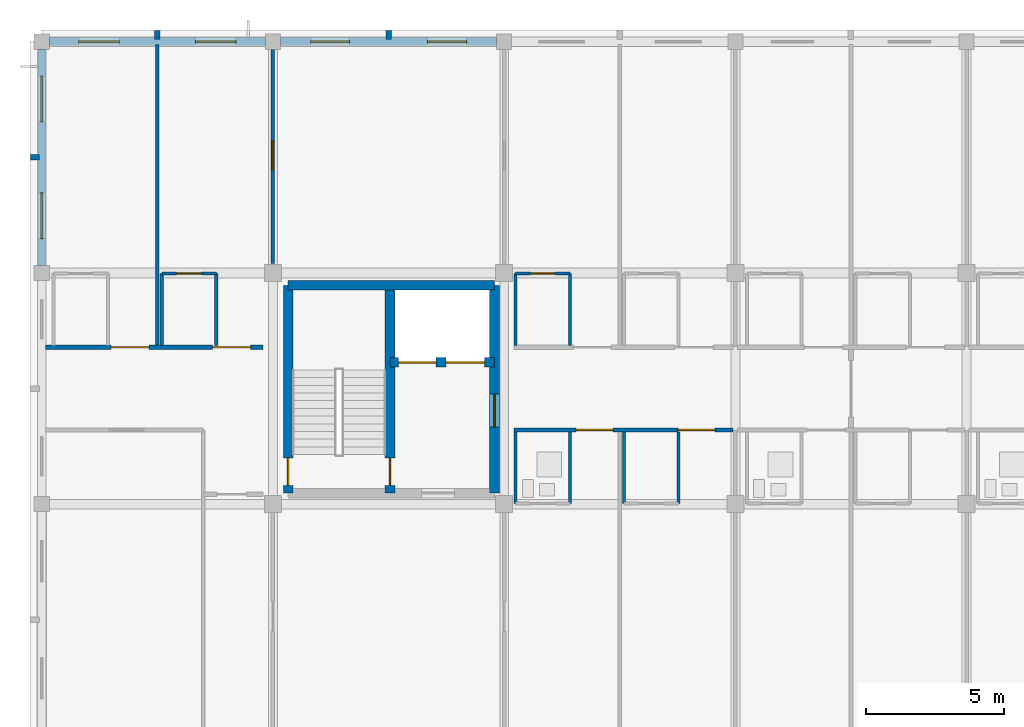
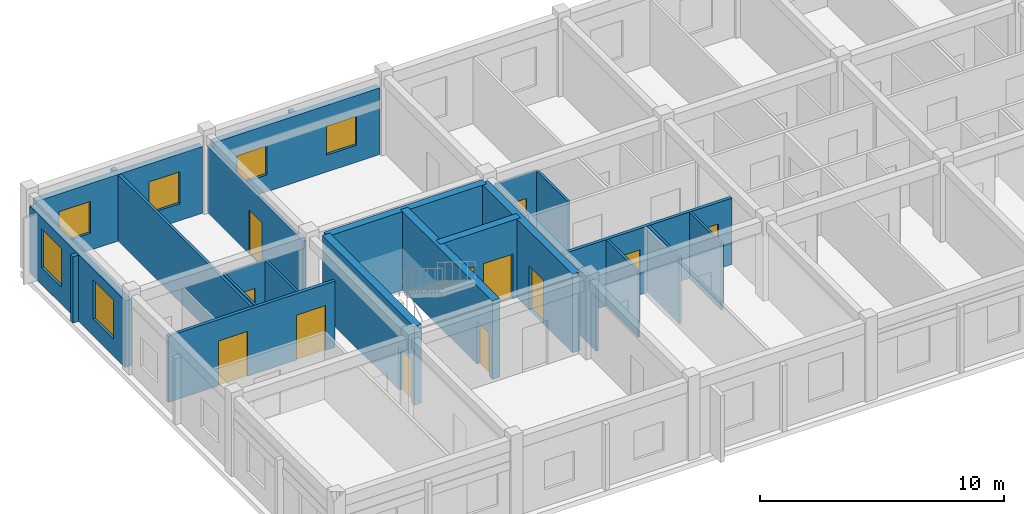
# One storey, part 8 of 21: 25 walls, 12 doors, 6 windows, 18 openings.
"""IFC4 building model written with IfcOpenShell, lengths in metres."""

from ifc_helpers import new_model, si_unit, direction, frame, frame_2d, origin, place, context, subcontext, project, spatial, rectangle, extrude, material, layer, layer_set, type_object, element, fill, save


model = new_model("IFC4")

# Units and contexts
model_context = context("Model", 3, precision=1e-05, world=origin(), true_north=direction((0.0, 1.0)))
body_context = subcontext(model_context, "Body", "Model", "MODEL_VIEW")
ifc_project = project(units=[si_unit("LENGTHUNIT", "METRE"), si_unit("AREAUNIT", "SQUARE_METRE"), si_unit("VOLUMEUNIT", "CUBIC_METRE"), si_unit("PLANEANGLEUNIT", "RADIAN"), si_unit("MASSUNIT", "GRAM", prefix="KILO")], contexts=[model_context])

# Site, building, storey
site_placement = place(None, origin())
site = spatial("IfcSite", under=ifc_project, at=site_placement, CompositionType="ELEMENT")
building_placement = place(site_placement, origin())
building = spatial("IfcBuilding", under=site, at=building_placement, Name="Trelvath General Hospital", CompositionType="ELEMENT")
storey_placement = place(building_placement, frame((0.0, 0.0, 28.800048828125)))
storey = spatial("IfcBuildingStorey", under=building, at=storey_placement, Name="L07", CompositionType="ELEMENT", Elevation=28.800048828125)

# Walls
ifc_material_1 = material(Name="Precast concrete C40/50", Category="concrete")
ifc_layer_1 = layer(ifc_material_1, 0.199951171875)
ifc_layer_set_1 = layer_set([ifc_layer_1], Name="Precast concrete C40/50")
wall_type_1 = type_object("IfcWallType", Name="BriseSoleilRib 200", PredefinedType="ELEMENTEDWALL", material=ifc_layer_set_1)
for number, where, z_axis, x_axis, name in (
    (1, (37.800048828125, 117.675048828125, 0.0), (0.0, 0.0, 1.0), (0.0, 1.0, 0.0), "Precast Concrete Brise-Soleil Rib Fin L07-462"),
    (2, (33.52490234375, 113.39990234375, 0.0), (0.0, 0.0, 1.0), (-1.0, 0.0, 0.0), "Precast Concrete Brise-Soleil Rib Fin L07-463"),
    (3, (46.199951171875, 117.675048828125, 0.0), (0.0, 0.0, 1.0), (0.0, 1.0, 0.0), "Precast Concrete Brise-Soleil Rib Fin L07-465"),
):
    element("IfcWall", number, at=place(storey_placement, frame(where, z_axis=z_axis, x_axis=x_axis)), inside=storey, type_object=wall_type_1, Name=name, PredefinedType="ELEMENTEDWALL", context=body_context, shape_type="SweptSolid", body=[
        extrude(rectangle(XDim=0.33984375, YDim=0.199951171875, at=frame_2d((0.169921875, 0.0))), origin(), (0.0, 0.0, 1.0), 3.320068359375),
    ])

# Wall, openings, doors
ifc_material_2 = material(Name="Gypsum acoustic steel-stud partition", Category="steel")
ifc_layer_2 = layer(ifc_material_2, 0.14990234375)
ifc_layer_set_2 = layer_set([ifc_layer_2], Name="Gypsum acoustic steel-stud partition")
wall_type_2 = type_object("IfcWallType", Name="ClinicalPartition 150", PredefinedType="PARTITIONING", material=ifc_layer_set_2)
wall_1_placement = place(storey_placement, frame((41.639892578125, 106.5, 0.0), z_axis=(0.0, 0.0, 1.0), x_axis=(-1.0, 0.0, 0.0)))
wall_1 = element("IfcWall", 4, at=wall_1_placement, inside=storey, type_object=wall_type_2, Name="Corridor Partition N L07-2326", PredefinedType="PARTITIONING", context=body_context, shape_type="SweptSolid", body=[
    extrude(rectangle(XDim=7.89990234375, YDim=0.14990234375, at=frame_2d((3.949951171875, 0.0))), origin(), (0.0, 0.0, 1.0), 3.320068359375),
])
opening_1_placement = place(wall_1_placement, frame((0.449951171875, 0.0, 0.0)))
opening_1 = element("IfcOpeningElement", 5, at=opening_1_placement, cuts=wall_1, Name="Opening D-7-1457", PredefinedType="OPENING", context=body_context, shape_type="SweptSolid", body=[
    extrude(rectangle(XDim=1.3798828125, YDim=2.25, at=frame_2d((0.68994140625, 1.125))), frame((0.0, 0.0849609375, 0.0), z_axis=(0.0, -1.0, 0.0), x_axis=(1.0, 0.0, 0.0)), (0.0, 0.0, 1.0), 0.169921875),
])
opening_2_placement = place(wall_1_placement, frame((4.14990234375, 0.0, 0.0)))
opening_2 = element("IfcOpeningElement", 6, at=opening_2_placement, cuts=wall_1, Name="Opening D-7-1458", PredefinedType="OPENING", context=body_context, shape_type="SweptSolid", body=[
    extrude(rectangle(XDim=1.3798828125, YDim=2.25, at=frame_2d((0.68994140625, 1.125))), frame((0.0, 0.0849609375, 0.0), z_axis=(0.0, -1.0, 0.0), x_axis=(1.0, 0.0, 0.0)), (0.0, 0.0, 1.0), 0.169921875),
])
ifc_material_3 = material(Name="Wheelchair rehab ward door")
door_type_1 = type_object("IfcDoorType", Name="Door PatientRehab 1380x2250", OperationType="NOTDEFINED", PredefinedType="DOOR", material=ifc_material_3)
door_1_placement = place(opening_1_placement, origin())
door_1 = element("IfcDoor", 7, at=door_1_placement, inside=storey, type_object=door_type_1, Name="Patient Room Door N L07-1457", OperationType="SINGLE_SWING_LEFT", OverallHeight=2.25, OverallWidth=1.3798828125, PredefinedType="DOOR", context=body_context, shape_type="SweptSolid", body=[
    extrude(rectangle(XDim=1.3798828125, YDim=2.25, at=frame_2d((0.68994140625, 1.125))), frame((0.0, 0.02490234375, 0.0), z_axis=(0.0, -1.0, 0.0), x_axis=(1.0, 0.0, 0.0)), (0.0, 0.0, 1.0), 0.050048828125),
])
fill(opening_1, door_1)
door_2_placement = place(opening_2_placement, origin())
door_2 = element("IfcDoor", 8, at=door_2_placement, inside=storey, type_object=door_type_1, Name="Patient Room Door N L07-1458", OperationType="SINGLE_SWING_LEFT", OverallHeight=2.25, OverallWidth=1.3798828125, PredefinedType="DOOR", context=body_context, shape_type="SweptSolid", body=[
    extrude(rectangle(XDim=1.3798828125, YDim=2.25, at=frame_2d((0.68994140625, 1.125))), frame((0.0, 0.02490234375, 0.0), z_axis=(0.0, -1.0, 0.0), x_axis=(1.0, 0.0, 0.0)), (0.0, 0.0, 1.0), 0.050048828125),
])
fill(opening_2, door_2)

wall_2_placement = place(storey_placement, frame((50.760009765625, 103.5, 0.0), z_axis=(0.0, 0.0, 1.0), x_axis=(1.0, 0.0, 0.0)))
wall_2 = element("IfcWall", 9, at=wall_2_placement, inside=storey, type_object=wall_type_2, Name="Corridor Partition L07-2338", PredefinedType="PARTITIONING", context=body_context, shape_type="SweptSolid", body=[
    extrude(rectangle(XDim=7.9599609375, YDim=0.14990234375, at=frame_2d((3.97998046875, 0.0))), origin(), (0.0, 0.0, 1.0), 3.320068359375),
])
opening_3_placement = place(wall_2_placement, frame((2.25, 0.0, 0.0)))
opening_3 = element("IfcOpeningElement", 10, at=opening_3_placement, cuts=wall_2, Name="Opening D-7-1465", PredefinedType="OPENING", context=body_context, shape_type="SweptSolid", body=[
    extrude(rectangle(XDim=1.35009765625, YDim=2.25, at=frame_2d((0.675048828125, 1.125))), frame((0.0, 0.0849609375, 0.0), z_axis=(0.0, -1.0, 0.0), x_axis=(1.0, 0.0, 0.0)), (0.0, 0.0, 1.0), 0.169921875),
])
opening_4_placement = place(wall_2_placement, frame((5.949951171875, 0.0, 0.0)))
opening_4 = element("IfcOpeningElement", 11, at=opening_4_placement, cuts=wall_2, Name="Opening D-7-1466", PredefinedType="OPENING", context=body_context, shape_type="SweptSolid", body=[
    extrude(rectangle(XDim=1.35009765625, YDim=2.25, at=frame_2d((0.675048828125, 1.125))), frame((0.0, 0.0849609375, 0.0), z_axis=(0.0, -1.0, 0.0), x_axis=(1.0, 0.0, 0.0)), (0.0, 0.0, 1.0), 0.169921875),
])
ifc_material_4 = material(Name="Airtight isolation bed door")
door_type_2 = type_object("IfcDoorType", Name="Door PatientIso 1350x2250", OperationType="NOTDEFINED", PredefinedType="DOOR", material=ifc_material_4)
door_3_placement = place(opening_3_placement, origin())
door_3 = element("IfcDoor", 12, at=door_3_placement, inside=storey, type_object=door_type_2, Name="Patient Room Door L07-1465", OperationType="SINGLE_SWING_RIGHT", OverallHeight=2.25, OverallWidth=1.35009765625, PredefinedType="DOOR", context=body_context, shape_type="SweptSolid", body=[
    extrude(rectangle(XDim=1.35009765625, YDim=2.25, at=frame_2d((0.675048828125, 1.125))), frame((0.0, 0.02490234375, 0.0), z_axis=(0.0, -1.0, 0.0), x_axis=(1.0, 0.0, 0.0)), (0.0, 0.0, 1.0), 0.050048828125),
])
fill(opening_3, door_3)
door_4_placement = place(opening_4_placement, origin())
door_4 = element("IfcDoor", 13, at=door_4_placement, inside=storey, type_object=door_type_2, Name="Patient Room Door L07-1466", OperationType="SINGLE_SWING_LEFT", OverallHeight=2.25, OverallWidth=1.35009765625, PredefinedType="DOOR", context=body_context, shape_type="SweptSolid", body=[
    extrude(rectangle(XDim=1.35009765625, YDim=2.25, at=frame_2d((0.675048828125, 1.125))), frame((0.0, 0.02490234375, 0.0), z_axis=(0.0, -1.0, 0.0), x_axis=(1.0, 0.0, 0.0)), (0.0, 0.0, 1.0), 0.050048828125),
])
fill(opening_4, door_4)

# Wall
ifc_material_5 = material(Name="Concrete C40/50", Category="concrete")
ifc_layer_3 = layer(ifc_material_5, 0.35009765625)
ifc_layer_set_3 = layer_set([ifc_layer_3], Name="Concrete C40/50")
wall_type_3 = type_object("IfcWallType", Name="CoreShearWall 350", PredefinedType="SHEAR", material=ifc_layer_set_3)
wall_3_placement = place(storey_placement, frame((42.550048828125, 108.75, 0.0), z_axis=(0.0, 0.0, 1.0), x_axis=(1.0, 0.0, 0.0)))
element("IfcWall", 14, at=wall_3_placement, inside=storey, type_object=wall_type_3, Name="Core Shear Wall C1 N L07", PredefinedType="SHEAR", context=body_context, shape_type="SweptSolid", body=[
    extrude(rectangle(XDim=7.5, YDim=0.35009765625, at=frame_2d((3.75, 0.0))), origin(), (0.0, 0.0, 1.0), 3.93994140625),
])

# Wall, opening, door
wall_4_placement = place(storey_placement, frame((42.550048828125, 101.199951171875, 0.0), z_axis=(0.0, 0.0, 1.0), x_axis=(0.0, 1.0, 0.0)))
wall_4 = element("IfcWall", 15, at=wall_4_placement, inside=storey, type_object=wall_type_3, Name="Core Shear Wall C1 W L07", PredefinedType="SHEAR", context=body_context, shape_type="SweptSolid", body=[
    extrude(rectangle(XDim=7.550048828125, YDim=0.35009765625, at=frame_2d((3.77490234375, 0.0))), origin(), (0.0, 0.0, 1.0), 3.93994140625),
])
opening_5_placement = place(wall_4_placement, frame((0.280029296875, 0.0, 0.0)))
opening_5 = element("IfcOpeningElement", 16, at=opening_5_placement, cuts=wall_4, Name="Opening FD-SW17", PredefinedType="OPENING", context=body_context, shape_type="SweptSolid", body=[
    extrude(rectangle(XDim=1.0, YDim=2.14990234375, at=frame_2d((0.5, 1.074951171875))), frame((0.0, 0.18505859375, 0.0), z_axis=(0.0, -1.0, 0.0), x_axis=(1.0, 0.0, 0.0)), (0.0, 0.0, 1.0), 0.3701171875),
])
ifc_material_6 = material(Name="Fire-rated steel door", Category="steel")
door_type_3 = type_object("IfcDoorType", Name="Door FireStair 1100x2150", OperationType="NOTDEFINED", PredefinedType="DOOR", material=ifc_material_6)
door_5_placement = place(opening_5_placement, origin())
door_5 = element("IfcDoor", 17, at=door_5_placement, inside=storey, type_object=door_type_3, Name="West Corridor Stair Door ST1 L07", OperationType="SINGLE_SWING_LEFT", OverallHeight=2.14990234375, OverallWidth=1.0, PredefinedType="DOOR", context=body_context, shape_type="SweptSolid", body=[
    extrude(rectangle(XDim=1.0, YDim=2.14990234375, at=frame_2d((0.5, 1.074951171875))), frame((0.0, 0.02490234375, 0.0), z_axis=(0.0, -1.0, 0.0), x_axis=(1.0, 0.0, 0.0)), (0.0, 0.0, 1.0), 0.050048828125),
])
fill(opening_5, door_5)

wall_5_placement = place(storey_placement, frame((50.050048828125, 101.199951171875, 0.0), z_axis=(0.0, 0.0, 1.0), x_axis=(0.0, 1.0, 0.0)))
wall_5 = element("IfcWall", 18, at=wall_5_placement, inside=storey, type_object=wall_type_3, Name="Core Shear Wall C1 E L07", PredefinedType="SHEAR", context=body_context, shape_type="SweptSolid", body=[
    extrude(rectangle(XDim=7.550048828125, YDim=0.35009765625, at=frame_2d((3.77490234375, 0.0))), origin(), (0.0, 0.0, 1.0), 3.93994140625),
])
opening_6_placement = place(wall_5_placement, frame((2.39990234375, 0.0, 0.0)))
opening_6 = element("IfcOpeningElement", 19, at=opening_6_placement, cuts=wall_5, Name="Opening FD-LE17", PredefinedType="OPENING", context=body_context, shape_type="SweptSolid", body=[
    extrude(rectangle(XDim=1.199951171875, YDim=2.199951171875, at=frame_2d((0.60009765625, 1.10009765625))), frame((0.0, 0.18505859375, 0.0), z_axis=(0.0, -1.0, 0.0), x_axis=(1.0, 0.0, 0.0)), (0.0, 0.0, 1.0), 0.3701171875),
])
ifc_material_7 = material(Name="Fire-rated steel door", Category="steel")
door_type_4 = type_object("IfcDoorType", Name="Door FireLobby 1200x2200", OperationType="NOTDEFINED", PredefinedType="DOOR", material=ifc_material_7)
door_6_placement = place(opening_6_placement, origin())
door_6 = element("IfcDoor", 20, at=door_6_placement, inside=storey, type_object=door_type_4, Name="Fire Lobby East Corridor Door C1 L07", OperationType="SINGLE_SWING_LEFT", OverallHeight=2.199951171875, OverallWidth=1.199951171875, PredefinedType="DOOR", context=body_context, shape_type="SweptSolid", body=[
    extrude(rectangle(XDim=1.199951171875, YDim=2.199951171875, at=frame_2d((0.60009765625, 1.10009765625))), frame((0.0, 0.02490234375, 0.0), z_axis=(0.0, -1.0, 0.0), x_axis=(1.0, 0.0, 0.0)), (0.0, 0.0, 1.0), 0.050048828125),
])
fill(opening_6, door_6)

wall_6_placement = place(storey_placement, frame((46.25, 101.199951171875, 0.0), z_axis=(0.0, 0.0, 1.0), x_axis=(0.0, 1.0, 0.0)))
wall_6 = element("IfcWall", 21, at=wall_6_placement, inside=storey, type_object=wall_type_3, Name="Core Shear Wall C1 SPINE L07", PredefinedType="SHEAR", context=body_context, shape_type="SweptSolid", body=[
    extrude(rectangle(XDim=7.550048828125, YDim=0.35009765625, at=frame_2d((3.77490234375, 0.0))), origin(), (0.0, 0.0, 1.0), 3.93994140625),
])
opening_7_placement = place(wall_6_placement, frame((0.280029296875, 0.0, 0.0)))
opening_7 = element("IfcOpeningElement", 22, at=opening_7_placement, cuts=wall_6, Name="Opening FD-S17", PredefinedType="OPENING", context=body_context, shape_type="SweptSolid", body=[
    extrude(rectangle(XDim=1.0, YDim=2.14990234375, at=frame_2d((0.5, 1.074951171875))), frame((0.0, 0.18505859375, 0.0), z_axis=(0.0, -1.0, 0.0), x_axis=(1.0, 0.0, 0.0)), (0.0, 0.0, 1.0), 0.3701171875),
])
door_7_placement = place(opening_7_placement, origin())
door_7 = element("IfcDoor", 23, at=door_7_placement, inside=storey, type_object=door_type_3, Name="Exit Stair Door ST1 L07", OperationType="SINGLE_SWING_RIGHT", OverallHeight=2.14990234375, OverallWidth=1.0, PredefinedType="DOOR", context=body_context, shape_type="SweptSolid", body=[
    extrude(rectangle(XDim=1.0, YDim=2.14990234375, at=frame_2d((0.5, 1.074951171875))), frame((0.0, 0.02490234375, 0.0), z_axis=(0.0, -1.0, 0.0), x_axis=(1.0, 0.0, 0.0)), (0.0, 0.0, 1.0), 0.050048828125),
])
fill(opening_7, door_7)

# Wall, openings, doors
wall_7_placement = place(storey_placement, frame((46.25, 105.949951171875, 0.0), z_axis=(0.0, 0.0, 1.0), x_axis=(1.0, 0.0, 0.0)))
wall_7 = element("IfcWall", 24, at=wall_7_placement, inside=storey, type_object=wall_type_3, Name="Core Shear Wall C1 SHAFT L07", PredefinedType="SHEAR", context=body_context, shape_type="SweptSolid", body=[
    extrude(rectangle(XDim=3.800048828125, YDim=0.35009765625, at=frame_2d((1.89990234375, 0.0))), origin(), (0.0, 0.0, 1.0), 3.93994140625),
])
opening_8_placement = place(wall_7_placement, frame((0.320068359375, 0.0, 0.0)))
opening_8 = element("IfcOpeningElement", 25, at=opening_8_placement, cuts=wall_7, Name="Opening LD-FF1-7", PredefinedType="OPENING", context=body_context, shape_type="SweptSolid", body=[
    extrude(rectangle(XDim=1.35009765625, YDim=2.25, at=frame_2d((0.675048828125, 1.125))), frame((0.0, 0.18505859375, 0.0), z_axis=(0.0, -1.0, 0.0), x_axis=(1.0, 0.0, 0.0)), (0.0, 0.0, 1.0), 0.3701171875),
])
opening_9_placement = place(wall_7_placement, frame((2.0400390625, 0.0, 0.0)))
opening_9 = element("IfcOpeningElement", 26, at=opening_9_placement, cuts=wall_7, Name="Opening LD-BD1-7", PredefinedType="OPENING", context=body_context, shape_type="SweptSolid", body=[
    extrude(rectangle(XDim=1.39990234375, YDim=2.25, at=frame_2d((0.699951171875, 1.125))), frame((0.0, 0.18505859375, 0.0), z_axis=(0.0, -1.0, 0.0), x_axis=(1.0, 0.0, 0.0)), (0.0, 0.0, 1.0), 0.3701171875),
])
ifc_material_8 = material(Name="Stainless steel stretcher lift landing door", Category="steel")
door_type_5 = type_object("IfcDoorType", Name="Door LiftBed 1400x2250", OperationType="SLIDING_TO_LEFT", PredefinedType="DOOR", material=ifc_material_8)
door_8_placement = place(opening_9_placement, origin())
door_8 = element("IfcDoor", 27, at=door_8_placement, inside=storey, type_object=door_type_5, Name="Lift Landing Sliding Door LF-BD1 L07", OperationType="SLIDING_TO_LEFT", OverallHeight=2.25, OverallWidth=1.39990234375, PredefinedType="DOOR", context=body_context, shape_type="SweptSolid", body=[
    extrude(rectangle(XDim=1.39990234375, YDim=2.25, at=frame_2d((0.699951171875, 1.125))), frame((0.0, 0.02490234375, 0.0), z_axis=(0.0, -1.0, 0.0), x_axis=(1.0, 0.0, 0.0)), (0.0, 0.0, 1.0), 0.050048828125),
])
fill(opening_9, door_8)
ifc_material_9 = material(Name="Fire-rated stainless lift landing door")
door_type_6 = type_object("IfcDoorType", Name="Door LiftFire 1350x2250", OperationType="SLIDING_TO_LEFT", PredefinedType="DOOR", material=ifc_material_9)
door_9_placement = place(opening_8_placement, origin())
door_9 = element("IfcDoor", 28, at=door_9_placement, inside=storey, type_object=door_type_6, Name="Lift Landing Sliding Door LF-FF1 L07", OperationType="SLIDING_TO_LEFT", OverallHeight=2.25, OverallWidth=1.35009765625, PredefinedType="DOOR", context=body_context, shape_type="SweptSolid", body=[
    extrude(rectangle(XDim=1.35009765625, YDim=2.25, at=frame_2d((0.675048828125, 1.125))), frame((0.0, 0.02490234375, 0.0), z_axis=(0.0, -1.0, 0.0), x_axis=(1.0, 0.0, 0.0)), (0.0, 0.0, 1.0), 0.050048828125),
])
fill(opening_8, door_9)

# Walls
ifc_material_10 = material(Name="Moisture-resistant tile partition")
ifc_layer_4 = layer(ifc_material_10, 0.110107421875)
ifc_layer_set_4 = layer_set([ifc_layer_4], Name="Moisture-resistant tile partition")
wall_type_4 = type_object("IfcWallType", Name="EnSuiteWetWall 110", PredefinedType="PARTITIONING", material=ifc_layer_set_4)
for number, where, z_axis, x_axis, name in (
    (29, (37.9599609375, 106.570068359375, 0.0), (0.0, 0.0, 1.0), (0.0, 1.0, 0.0), "En-Suite W Wall N L07-2331"),
    (30, (39.93994140625, 106.570068359375, 0.0), (0.0, 0.0, 1.0), (0.0, 1.0, 0.0), "En-Suite E Wall N L07-2332"),
):
    element("IfcWall", number, at=place(storey_placement, frame(where, z_axis=z_axis, x_axis=x_axis)), inside=storey, type_object=wall_type_4, Name=name, PredefinedType="PARTITIONING", context=body_context, shape_type="SweptSolid", body=[
        extrude(rectangle(XDim=2.60986328125, YDim=0.110107421875, at=frame_2d((1.304931640625, 0.0))), origin(), (0.0, 0.0, 1.0), 3.320068359375),
    ])

# Wall, opening, door
wall_8_placement = place(storey_placement, frame((37.9599609375, 109.179931640625, 0.0), z_axis=(0.0, 0.0, 1.0), x_axis=(1.0, 0.0, 0.0)))
wall_8 = element("IfcWall", 31, at=wall_8_placement, inside=storey, type_object=wall_type_4, Name="En-Suite Bathroom N Partition L07-2333", PredefinedType="PARTITIONING", context=body_context, shape_type="SweptSolid", body=[
    extrude(rectangle(XDim=1.97998046875, YDim=0.110107421875, at=frame_2d((0.989990234375, 0.0))), origin(), (0.0, 0.0, 1.0), 3.320068359375),
])
opening_10_placement = place(wall_8_placement, frame((0.5400390625, 0.0, 0.0)))
opening_10 = element("IfcOpeningElement", 32, at=opening_10_placement, cuts=wall_8, Name="Opening D-7-1460", PredefinedType="OPENING", context=body_context, shape_type="SweptSolid", body=[
    extrude(rectangle(XDim=0.89990234375, YDim=2.10009765625, at=frame_2d((0.449951171875, 1.050048828125))), frame((0.0, 0.06494140625, 0.0), z_axis=(0.0, -1.0, 0.0), x_axis=(1.0, 0.0, 0.0)), (0.0, 0.0, 1.0), 0.130126953125),
])
ifc_material_11 = material(Name="Moisture-sealed timber leaf", Category="wood")
door_type_7 = type_object("IfcDoorType", Name="Door EnSuite 900x2100", OperationType="NOTDEFINED", PredefinedType="DOOR", material=ifc_material_11)
door_10_placement = place(opening_10_placement, origin())
door_10 = element("IfcDoor", 33, at=door_10_placement, inside=storey, type_object=door_type_7, Name="En-Suite Bathroom N Door L07-1460", OperationType="SINGLE_SWING_LEFT", OverallHeight=2.10009765625, OverallWidth=0.89990234375, PredefinedType="DOOR", context=body_context, shape_type="SweptSolid", body=[
    extrude(rectangle(XDim=0.89990234375, YDim=2.10009765625, at=frame_2d((0.449951171875, 1.050048828125))), frame((0.0, 0.02490234375, 0.0), z_axis=(0.0, -1.0, 0.0), x_axis=(1.0, 0.0, 0.0)), (0.0, 0.0, 1.0), 0.050048828125),
])
fill(opening_10, door_10)

# Walls
for number, where, z_axis, x_axis, name in (
    (34, (50.820068359375, 100.820068359375, 0.0), (0.0, 0.0, 1.0), (0.0, 1.0, 0.0), "En-Suite W Wall L07-2340"),
    (35, (52.800048828125, 100.820068359375, 0.0), (0.0, 0.0, 1.0), (0.0, 1.0, 0.0), "En-Suite E Wall L07-2341"),
    (36, (54.760009765625, 100.820068359375, 0.0), (0.0, 0.0, 1.0), (0.0, 1.0, 0.0), "En-Suite W Wall L07-2343"),
    (37, (56.739990234375, 100.820068359375, 0.0), (0.0, 0.0, 1.0), (0.0, 1.0, 0.0), "En-Suite E Wall L07-2344"),
    (38, (50.820068359375, 106.570068359375, 0.0), (0.0, 0.0, 1.0), (0.0, 1.0, 0.0), "En-Suite W Wall N L07-2348"),
    (39, (52.800048828125, 106.570068359375, 0.0), (0.0, 0.0, 1.0), (0.0, 1.0, 0.0), "En-Suite E Wall N L07-2349"),
):
    element("IfcWall", number, at=place(storey_placement, frame(where, z_axis=z_axis, x_axis=x_axis)), inside=storey, type_object=wall_type_4, Name=name, PredefinedType="PARTITIONING", context=body_context, shape_type="SweptSolid", body=[
        extrude(rectangle(XDim=2.60986328125, YDim=0.110107421875, at=frame_2d((1.304931640625, 0.0))), origin(), (0.0, 0.0, 1.0), 3.320068359375),
    ])

# Wall, opening, door
wall_9_placement = place(storey_placement, frame((50.820068359375, 109.179931640625, 0.0), z_axis=(0.0, 0.0, 1.0), x_axis=(1.0, 0.0, 0.0)))
wall_9 = element("IfcWall", 40, at=wall_9_placement, inside=storey, type_object=wall_type_4, Name="En-Suite Bathroom N Partition L07-2350", PredefinedType="PARTITIONING", context=body_context, shape_type="SweptSolid", body=[
    extrude(rectangle(XDim=1.97998046875, YDim=0.110107421875, at=frame_2d((0.989990234375, 0.0))), origin(), (0.0, 0.0, 1.0), 3.320068359375),
])
opening_11_placement = place(wall_9_placement, frame((0.5400390625, 0.0, 0.0)))
opening_11 = element("IfcOpeningElement", 41, at=opening_11_placement, cuts=wall_9, Name="Opening D-7-1471", PredefinedType="OPENING", context=body_context, shape_type="SweptSolid", body=[
    extrude(rectangle(XDim=0.89990234375, YDim=2.10009765625, at=frame_2d((0.449951171875, 1.050048828125))), frame((0.0, 0.06494140625, 0.0), z_axis=(0.0, -1.0, 0.0), x_axis=(1.0, 0.0, 0.0)), (0.0, 0.0, 1.0), 0.130126953125),
])
door_11_placement = place(opening_11_placement, origin())
door_11 = element("IfcDoor", 42, at=door_11_placement, inside=storey, type_object=door_type_7, Name="En-Suite Bathroom N Door L07-1471", OperationType="SINGLE_SWING_LEFT", OverallHeight=2.10009765625, OverallWidth=0.89990234375, PredefinedType="DOOR", context=body_context, shape_type="SweptSolid", body=[
    extrude(rectangle(XDim=0.89990234375, YDim=2.10009765625, at=frame_2d((0.449951171875, 1.050048828125))), frame((0.0, 0.02490234375, 0.0), z_axis=(0.0, -1.0, 0.0), x_axis=(1.0, 0.0, 0.0)), (0.0, 0.0, 1.0), 0.050048828125),
])
fill(opening_11, door_11)

# Wall, openings, windows
ifc_material_12 = material(Name="Concrete C35/45", Category="concrete")
ifc_layer_5 = layer(ifc_material_12, 0.2900390625)
ifc_layer_set_5 = layer_set([ifc_layer_5], Name="Concrete C35/45")
wall_type_5 = type_object("IfcWallType", Name="ExtBushHammeredWall 290", PredefinedType="SOLIDWALL", material=ifc_layer_set_5)
wall_10_placement = place(storey_placement, frame((33.8701171875, 117.60009765625, 0.0), z_axis=(0.0, 0.0, 1.0), x_axis=(1.0, 0.0, 0.0)))
wall_10 = element("IfcWall", 43, at=wall_10_placement, inside=storey, type_object=wall_type_5, Name="Exterior Concrete Wall L07-611", PredefinedType="SOLIDWALL", context=body_context, shape_type="SweptSolid", body=[
    extrude(rectangle(XDim=7.85986328125, YDim=0.2900390625, at=frame_2d((3.929931640625, 0.0))), origin(), (0.0, 0.0, 1.0), 3.33984375),
])
opening_12_placement = place(wall_10_placement, frame((1.06787109375, 0.0, 0.85009765625)))
opening_12 = element("IfcOpeningElement", 44, at=opening_12_placement, cuts=wall_10, Name="Opening WN-7-1029", PredefinedType="OPENING", context=body_context, shape_type="SweptSolid", body=[
    extrude(rectangle(XDim=1.47998046875, YDim=1.60009765625, at=frame_2d((0.739990234375, 0.800048828125))), frame((0.0, 0.155029296875, 0.0), z_axis=(0.0, -1.0, 0.0), x_axis=(1.0, 0.0, 0.0)), (0.0, 0.0, 1.0), 0.31005859375),
])
opening_13_placement = place(wall_10_placement, frame((5.312255859375, 0.0, 0.85009765625)))
opening_13 = element("IfcOpeningElement", 45, at=opening_13_placement, cuts=wall_10, Name="Opening WN-7-1030", PredefinedType="OPENING", context=body_context, shape_type="SweptSolid", body=[
    extrude(rectangle(XDim=1.47998046875, YDim=1.60009765625, at=frame_2d((0.739990234375, 0.800048828125))), frame((0.0, 0.155029296875, 0.0), z_axis=(0.0, -1.0, 0.0), x_axis=(1.0, 0.0, 0.0)), (0.0, 0.0, 1.0), 0.31005859375),
])
ifc_material_13 = material(Name="Low-E laminated glass", Category="glass")
window_type_1 = type_object("IfcWindowType", Name="Window Clinic 1480x1600", PartitioningType="DOUBLE_PANEL_VERTICAL", PredefinedType="WINDOW", material=ifc_material_13)
window_1_placement = place(opening_12_placement, origin())
window_1 = element("IfcWindow", 46, at=window_1_placement, inside=storey, type_object=window_type_1, Name="Solar Reveal Window L07-1029", OverallHeight=1.60009765625, OverallWidth=1.47998046875, PartitioningType="SINGLE_PANEL", PredefinedType="WINDOW", context=body_context, shape_type="SweptSolid", body=[
    extrude(rectangle(XDim=1.47998046875, YDim=1.60009765625, at=frame_2d((0.739990234375, 0.800048828125))), frame((0.0, 0.030029296875, 0.0), z_axis=(0.0, -1.0, 0.0), x_axis=(1.0, 0.0, 0.0)), (0.0, 0.0, 1.0), 0.06005859375),
])
fill(opening_12, window_1)
window_2_placement = place(opening_13_placement, origin())
window_2 = element("IfcWindow", 47, at=window_2_placement, inside=storey, type_object=window_type_1, Name="Solar Reveal Window L07-1030", OverallHeight=1.60009765625, OverallWidth=1.47998046875, PartitioningType="SINGLE_PANEL", PredefinedType="WINDOW", context=body_context, shape_type="SweptSolid", body=[
    extrude(rectangle(XDim=1.47998046875, YDim=1.60009765625, at=frame_2d((0.739990234375, 0.800048828125))), frame((0.0, 0.030029296875, 0.0), z_axis=(0.0, -1.0, 0.0), x_axis=(1.0, 0.0, 0.0)), (0.0, 0.0, 1.0), 0.06005859375),
])
fill(opening_13, window_2)

wall_11_placement = place(storey_placement, frame((33.60009765625, 109.469970703125, 0.0), z_axis=(0.0, 0.0, 1.0), x_axis=(0.0, 1.0, 0.0)))
wall_11 = element("IfcWall", 48, at=wall_11_placement, inside=storey, type_object=wall_type_5, Name="Exterior Concrete Wall L07-612", PredefinedType="SOLIDWALL", context=body_context, shape_type="SweptSolid", body=[
    extrude(rectangle(XDim=7.860107421875, YDim=0.2900390625, at=frame_2d((3.93017578125, 0.0))), origin(), (0.0, 0.0, 1.0), 3.33984375),
])
opening_14_placement = place(wall_11_placement, frame((0.977783203125, 0.0, 0.85009765625)))
opening_14 = element("IfcOpeningElement", 49, at=opening_14_placement, cuts=wall_11, Name="Opening WN-7-1031", PredefinedType="OPENING", context=body_context, shape_type="SweptSolid", body=[
    extrude(rectangle(XDim=1.659912109375, YDim=1.949951171875, at=frame_2d((0.830078125, 0.97509765625))), frame((0.0, 0.155029296875, 0.0), z_axis=(0.0, -1.0, 0.0), x_axis=(1.0, 0.0, 0.0)), (0.0, 0.0, 1.0), 0.31005859375),
])
opening_15_placement = place(wall_11_placement, frame((5.22216796875, 0.0, 0.85009765625)))
opening_15 = element("IfcOpeningElement", 50, at=opening_15_placement, cuts=wall_11, Name="Opening WN-7-1032", PredefinedType="OPENING", context=body_context, shape_type="SweptSolid", body=[
    extrude(rectangle(XDim=1.659912109375, YDim=1.949951171875, at=frame_2d((0.830078125, 0.97509765625))), frame((0.0, 0.155029296875, 0.0), z_axis=(0.0, -1.0, 0.0), x_axis=(1.0, 0.0, 0.0)), (0.0, 0.0, 1.0), 0.31005859375),
])
ifc_material_14 = material(Name="Low-E laminated glass", Category="glass")
window_type_2 = type_object("IfcWindowType", Name="Window Dayroom 1660x1950", PartitioningType="DOUBLE_PANEL_VERTICAL", PredefinedType="WINDOW", material=ifc_material_14)
window_3_placement = place(opening_14_placement, origin())
window_3 = element("IfcWindow", 51, at=window_3_placement, inside=storey, type_object=window_type_2, Name="Solar Reveal Window L07-1031", OverallHeight=1.949951171875, OverallWidth=1.659912109375, PartitioningType="SINGLE_PANEL", PredefinedType="WINDOW", context=body_context, shape_type="SweptSolid", body=[
    extrude(rectangle(XDim=1.659912109375, YDim=1.949951171875, at=frame_2d((0.830078125, 0.97509765625))), frame((0.0, 0.030029296875, 0.0), z_axis=(0.0, -1.0, 0.0), x_axis=(1.0, 0.0, 0.0)), (0.0, 0.0, 1.0), 0.06005859375),
])
fill(opening_14, window_3)
window_4_placement = place(opening_15_placement, origin())
window_4 = element("IfcWindow", 52, at=window_4_placement, inside=storey, type_object=window_type_2, Name="Solar Reveal Window L07-1032", OverallHeight=1.949951171875, OverallWidth=1.659912109375, PartitioningType="SINGLE_PANEL", PredefinedType="WINDOW", context=body_context, shape_type="SweptSolid", body=[
    extrude(rectangle(XDim=1.659912109375, YDim=1.949951171875, at=frame_2d((0.830078125, 0.97509765625))), frame((0.0, 0.030029296875, 0.0), z_axis=(0.0, -1.0, 0.0), x_axis=(1.0, 0.0, 0.0)), (0.0, 0.0, 1.0), 0.06005859375),
])
fill(opening_15, window_4)

wall_12_placement = place(storey_placement, frame((42.27001953125, 117.60009765625, 0.0), z_axis=(0.0, 0.0, 1.0), x_axis=(1.0, 0.0, 0.0)))
wall_12 = element("IfcWall", 53, at=wall_12_placement, inside=storey, type_object=wall_type_5, Name="Exterior Concrete Wall L07-614", PredefinedType="SOLIDWALL", context=body_context, shape_type="SweptSolid", body=[
    extrude(rectangle(XDim=7.85986328125, YDim=0.2900390625, at=frame_2d((3.929931640625, 0.0))), origin(), (0.0, 0.0, 1.0), 3.33984375),
])
opening_16_placement = place(wall_12_placement, frame((1.097900390625, 0.0, 0.85009765625)))
opening_16 = element("IfcOpeningElement", 54, at=opening_16_placement, cuts=wall_12, Name="Opening WN-7-1035", PredefinedType="OPENING", context=body_context, shape_type="SweptSolid", body=[
    extrude(rectangle(XDim=1.419921875, YDim=1.449951171875, at=frame_2d((0.7099609375, 0.72509765625))), frame((0.0, 0.155029296875, 0.0), z_axis=(0.0, -1.0, 0.0), x_axis=(1.0, 0.0, 0.0)), (0.0, 0.0, 1.0), 0.31005859375),
])
opening_17_placement = place(wall_12_placement, frame((5.34228515625, 0.0, 0.85009765625)))
opening_17 = element("IfcOpeningElement", 55, at=opening_17_placement, cuts=wall_12, Name="Opening WN-7-1036", PredefinedType="OPENING", context=body_context, shape_type="SweptSolid", body=[
    extrude(rectangle(XDim=1.419921875, YDim=1.449951171875, at=frame_2d((0.7099609375, 0.72509765625))), frame((0.0, 0.155029296875, 0.0), z_axis=(0.0, -1.0, 0.0), x_axis=(1.0, 0.0, 0.0)), (0.0, 0.0, 1.0), 0.31005859375),
])
ifc_material_15 = material(Name="Low-E laminated glass", Category="glass")
window_type_3 = type_object("IfcWindowType", Name="Window Lab 1420x1450", PartitioningType="DOUBLE_PANEL_VERTICAL", PredefinedType="WINDOW", material=ifc_material_15)
window_5_placement = place(opening_16_placement, origin())
window_5 = element("IfcWindow", 56, at=window_5_placement, inside=storey, type_object=window_type_3, Name="Solar Reveal Window L07-1035", OverallHeight=1.449951171875, OverallWidth=1.419921875, PartitioningType="SINGLE_PANEL", PredefinedType="WINDOW", context=body_context, shape_type="SweptSolid", body=[
    extrude(rectangle(XDim=1.419921875, YDim=1.449951171875, at=frame_2d((0.7099609375, 0.72509765625))), frame((0.0, 0.030029296875, 0.0), z_axis=(0.0, -1.0, 0.0), x_axis=(1.0, 0.0, 0.0)), (0.0, 0.0, 1.0), 0.06005859375),
])
fill(opening_16, window_5)
window_6_placement = place(opening_17_placement, origin())
window_6 = element("IfcWindow", 57, at=window_6_placement, inside=storey, type_object=window_type_3, Name="Solar Reveal Window L07-1036", OverallHeight=1.449951171875, OverallWidth=1.419921875, PartitioningType="SINGLE_PANEL", PredefinedType="WINDOW", context=body_context, shape_type="SweptSolid", body=[
    extrude(rectangle(XDim=1.419921875, YDim=1.449951171875, at=frame_2d((0.7099609375, 0.72509765625))), frame((0.0, 0.030029296875, 0.0), z_axis=(0.0, -1.0, 0.0), x_axis=(1.0, 0.0, 0.0)), (0.0, 0.0, 1.0), 0.06005859375),
])
fill(opening_17, window_6)

# Wall
ifc_material_16 = material(Name="Gypsum acoustic steel-stud partition", Category="steel")
ifc_layer_6 = layer(ifc_material_16, 0.1298828125)
ifc_layer_set_6 = layer_set([ifc_layer_6], Name="Gypsum acoustic steel-stud partition")
wall_type_6 = type_object("IfcWallType", Name="WardPartition 130", PredefinedType="PARTITIONING", material=ifc_layer_set_6)
wall_13_placement = place(storey_placement, frame((37.800048828125, 106.570068359375, 0.0), z_axis=(0.0, 0.0, 1.0), x_axis=(0.0, 1.0, 0.0)))
element("IfcWall", 58, at=wall_13_placement, inside=storey, type_object=wall_type_6, Name="Room Dividing Partition N L07-2327", PredefinedType="PARTITIONING", context=body_context, shape_type="SweptSolid", body=[
    extrude(rectangle(XDim=10.929931640625, YDim=0.1298828125, at=frame_2d((5.46484375, 0.0))), origin(), (0.0, 0.0, 1.0), 3.320068359375),
])

# Wall, opening, door
wall_14_placement = place(storey_placement, frame((42.0, 109.550048828125, 0.0), z_axis=(0.0, 0.0, 1.0), x_axis=(0.0, 1.0, 0.0)))
wall_14 = element("IfcWall", 59, at=wall_14_placement, inside=storey, type_object=wall_type_6, Name="Inter-Bay Ward Partition N L07-2335", PredefinedType="PARTITIONING", context=body_context, shape_type="SweptSolid", body=[
    extrude(rectangle(XDim=7.909912109375, YDim=0.1298828125, at=frame_2d((3.955078125, 0.0))), origin(), (0.0, 0.0, 1.0), 3.320068359375),
])
opening_18_placement = place(wall_14_placement, frame((3.39990234375, 0.0, 0.0)))
opening_18 = element("IfcOpeningElement", 60, at=opening_18_placement, cuts=wall_14, Name="Opening D-7-1462", PredefinedType="OPENING", context=body_context, shape_type="SweptSolid", body=[
    extrude(rectangle(XDim=1.050048828125, YDim=2.199951171875, at=frame_2d((0.52490234375, 1.10009765625))), frame((0.0, 0.074951171875, 0.0), z_axis=(0.0, -1.0, 0.0), x_axis=(1.0, 0.0, 0.0)), (0.0, 0.0, 1.0), 0.14990234375),
])
ifc_material_17 = material(Name="Acoustic hospital timber leaf", Category="wood")
door_type_8 = type_object("IfcDoorType", Name="Door Consult 1050x2200", OperationType="NOTDEFINED", PredefinedType="DOOR", material=ifc_material_17)
door_12_placement = place(opening_18_placement, origin())
door_12 = element("IfcDoor", 61, at=door_12_placement, inside=storey, type_object=door_type_8, Name="Consultation Connecting Door L07-1462", OperationType="SINGLE_SWING_LEFT", OverallHeight=2.199951171875, OverallWidth=1.050048828125, PredefinedType="DOOR", context=body_context, shape_type="SweptSolid", body=[
    extrude(rectangle(XDim=1.050048828125, YDim=2.199951171875, at=frame_2d((0.52490234375, 1.10009765625))), frame((0.0, 0.02490234375, 0.0), z_axis=(0.0, -1.0, 0.0), x_axis=(1.0, 0.0, 0.0)), (0.0, 0.0, 1.0), 0.050048828125),
])
fill(opening_18, door_12)

save(model, "model.ifc")
